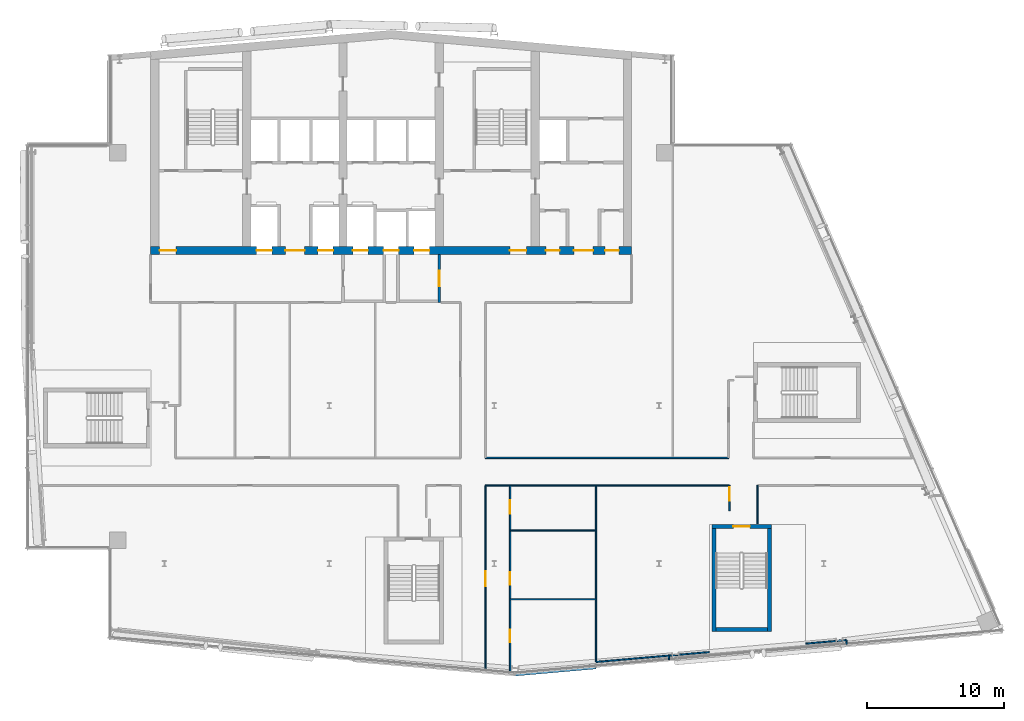
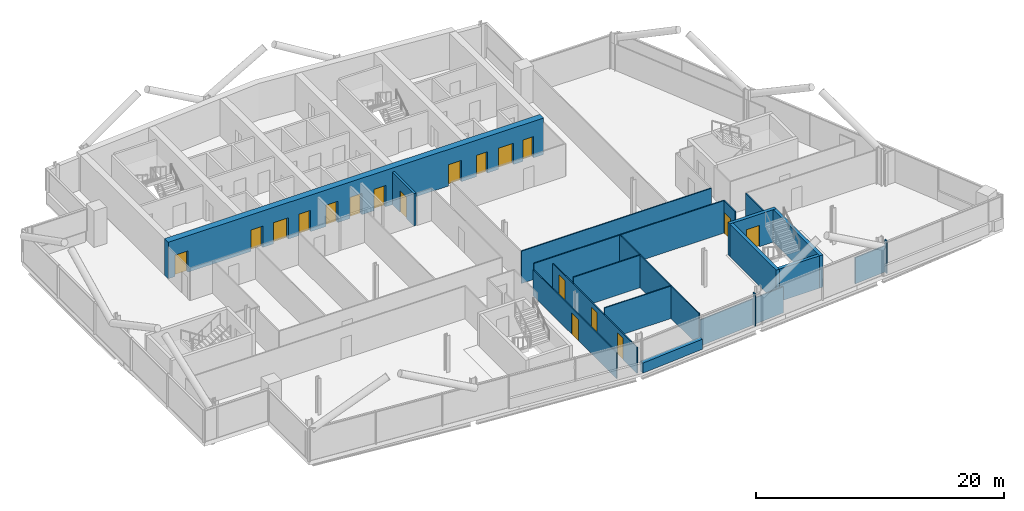
# One storey, part 16 of 27: 21 walls, 18 doors, 18 openings.
"""IFC4 building model written with IfcOpenShell, lengths in metres."""

from ifc_helpers import new_model, si_unit, direction, frame, frame_2d, origin, place, context, subcontext, project, spatial, rectangle, extrude, material, layer, layer_set, type_object, element, fill, save


model = new_model("IFC4")

# Units and contexts
model_context = context("Model", 3, precision=1e-05, world=origin(), true_north=direction((0.0, 1.0)))
body_context = subcontext(model_context, "Body", "Model", "MODEL_VIEW")
ifc_project = project(units=[si_unit("LENGTHUNIT", "METRE"), si_unit("AREAUNIT", "SQUARE_METRE"), si_unit("VOLUMEUNIT", "CUBIC_METRE"), si_unit("PLANEANGLEUNIT", "RADIAN"), si_unit("MASSUNIT", "GRAM", prefix="KILO")], contexts=[model_context])

# Site, building, storey
site_placement = place(None, origin())
site = spatial("IfcSite", under=ifc_project, at=site_placement, CompositionType="ELEMENT")
building_placement = place(site_placement, origin())
building = spatial("IfcBuilding", under=site, at=building_placement, Name="Wharfspan Tower", CompositionType="ELEMENT")
storey_placement = place(building_placement, frame((0.0, 0.0, 210.699951)))
storey = spatial("IfcBuildingStorey", under=building, at=storey_placement, Name="L52", CompositionType="ELEMENT", Elevation=210.699951)

# Wall
ifc_material_1 = material(Name="Gypsum board on steel studs", Category="steel")
ifc_layer_1 = layer(ifc_material_1, 0.100098)
ifc_layer_set_1 = layer_set([ifc_layer_1], Name="Gypsum board on steel studs")
wall_type_1 = type_object("IfcWallType", Name="Compartment wall 100 EI 60", PredefinedType="PARTITIONING", material=ifc_layer_set_1)
wall_1_placement = place(storey_placement, frame((47.360107, 19.199951, 0.0), z_axis=(0.0, 0.0, 1.0), x_axis=(1.0, 0.0, 0.0)))
element("IfcWall", 1, at=wall_1_placement, inside=storey, type_object=wall_type_1, Name="Partition L52.w023", PredefinedType="PARTITIONING", context=body_context, shape_type="SweptSolid", body=[
    extrude(rectangle(XDim=17.709961, YDim=0.100098, at=frame_2d((8.85498, 0.0))), origin(), (0.0, 0.0, 1.0), 3.199951),
])

# Wall, opening, door
wall_2_placement = place(storey_placement, frame((47.370117, 3.700684, 0.0), z_axis=(0.0, 0.0, 1.0), x_axis=(0.0, 1.0, 0.0)))
wall_2 = element("IfcWall", 2, at=wall_2_placement, inside=storey, type_object=wall_type_1, Name="Partition L52.w025", PredefinedType="PARTITIONING", context=body_context, shape_type="SweptSolid", body=[
    extrude(rectangle(XDim=13.484375, YDim=0.100098, at=frame_2d((6.742188, 0.0))), origin(), (0.0, 0.0, 1.0), 2.580078),
])
opening_1_placement = place(wall_2_placement, frame((6.159424, 0.0, 0.0)))
opening_1 = element("IfcOpeningElement", 3, at=opening_1_placement, cuts=wall_2, Name="Opening D2-02", PredefinedType="OPENING", context=body_context, shape_type="SweptSolid", body=[
    extrude(rectangle(XDim=1.100098, YDim=2.100098, at=frame_2d((0.550049, 1.050049))), frame((0.0, 0.060059, 0.0), z_axis=(0.0, -1.0, 0.0), x_axis=(1.0, 0.0, 0.0)), (0.0, 0.0, 1.0), 0.120117),
])
ifc_material_2 = material(Name="Fire-rated timber door leaf in steel frame", Category="steel")
door_type_1 = type_object("IfcDoorType", Name="Door 1100 FD30S Left", OperationType="SINGLE_SWING_LEFT", PredefinedType="DOOR", material=ifc_material_2)
door_1_placement = place(opening_1_placement, origin())
door_1 = element("IfcDoor", 4, at=door_1_placement, inside=storey, type_object=door_type_1, Name="Door D2-02", OperationType="SINGLE_SWING_LEFT", OverallHeight=2.100098, OverallWidth=1.100098, PredefinedType="DOOR", context=body_context, shape_type="SweptSolid", body=[
    extrude(rectangle(XDim=1.100098, YDim=2.100098, at=frame_2d((0.550049, 1.050049))), frame((0.0, 0.024902, 0.0), z_axis=(0.0, -1.0, 0.0), x_axis=(1.0, 0.0, 0.0)), (0.0, 0.0, 1.0), 0.050049),
])
fill(opening_1, door_1)

# Wall
wall_3_placement = place(storey_placement, frame((47.370117, 17.185059, 0.0), z_axis=(0.0, 0.0, 1.0), x_axis=(1.0, 0.0, 0.0)))
element("IfcWall", 5, at=wall_3_placement, inside=storey, type_object=wall_type_1, Name="Partition L52.w026", PredefinedType="PARTITIONING", context=body_context, shape_type="SweptSolid", body=[
    extrude(rectangle(XDim=17.75, YDim=0.100098, at=frame_2d((8.875, 0.0))), origin(), (0.0, 0.0, 1.0), 3.199951),
])

# Wall, openings, doors
wall_4_placement = place(storey_placement, frame((49.159912, 3.543945, 0.0), z_axis=(0.0, 0.0, 1.0), x_axis=(0.0, 1.0, 0.0)))
wall_4 = element("IfcWall", 6, at=wall_4_placement, inside=storey, type_object=wall_type_1, Name="Partition L52.w027", PredefinedType="PARTITIONING", context=body_context, shape_type="SweptSolid", body=[
    extrude(rectangle(XDim=13.641113, YDim=0.100098, at=frame_2d((6.820557, 0.0))), origin(), (0.0, 0.0, 1.0), 2.580078),
])
opening_2_placement = place(wall_4_placement, frame((2.25, 0.0, 0.0)))
opening_2 = element("IfcOpeningElement", 7, at=opening_2_placement, cuts=wall_4, Name="Opening D2-01", PredefinedType="OPENING", context=body_context, shape_type="SweptSolid", body=[
    extrude(rectangle(XDim=0.899902, YDim=2.100098, at=frame_2d((0.449951, 1.050049))), frame((0.0, 0.060059, 0.0), z_axis=(0.0, -1.0, 0.0), x_axis=(1.0, 0.0, 0.0)), (0.0, 0.0, 1.0), 0.120117),
])
opening_3_placement = place(wall_4_placement, frame((6.429932, 0.0, 0.0)))
opening_3 = element("IfcOpeningElement", 8, at=opening_3_placement, cuts=wall_4, Name="Opening D2-03", PredefinedType="OPENING", context=body_context, shape_type="SweptSolid", body=[
    extrude(rectangle(XDim=0.899902, YDim=2.100098, at=frame_2d((0.449951, 1.050049))), frame((0.0, 0.060059, 0.0), z_axis=(0.0, -1.0, 0.0), x_axis=(1.0, 0.0, 0.0)), (0.0, 0.0, 1.0), 0.120117),
])
opening_4_placement = place(wall_4_placement, frame((11.584961, 0.0, 0.0)))
opening_4 = element("IfcOpeningElement", 9, at=opening_4_placement, cuts=wall_4, Name="Opening D2-04", PredefinedType="OPENING", context=body_context, shape_type="SweptSolid", body=[
    extrude(rectangle(XDim=1.0, YDim=2.100098, at=frame_2d((0.5, 1.050049))), frame((0.0, 0.060059, 0.0), z_axis=(0.0, -1.0, 0.0), x_axis=(1.0, 0.0, 0.0)), (0.0, 0.0, 1.0), 0.120117),
])
ifc_material_3 = material(Name="Timber door leaf in steel frame", Category="steel")
door_type_2 = type_object("IfcDoorType", Name="Door 1000 NOT RATED Right", OperationType="SINGLE_SWING_RIGHT", PredefinedType="DOOR", material=ifc_material_3)
door_2_placement = place(opening_4_placement, origin())
door_2 = element("IfcDoor", 10, at=door_2_placement, inside=storey, type_object=door_type_2, Name="Door D2-04", OperationType="SINGLE_SWING_RIGHT", OverallHeight=2.100098, OverallWidth=1.0, PredefinedType="DOOR", context=body_context, shape_type="SweptSolid", body=[
    extrude(rectangle(XDim=1.0, YDim=2.100098, at=frame_2d((0.5, 1.050049))), frame((0.0, 0.024902, 0.0), z_axis=(0.0, -1.0, 0.0), x_axis=(1.0, 0.0, 0.0)), (0.0, 0.0, 1.0), 0.050049),
])
fill(opening_4, door_2)
door_type_3 = type_object("IfcDoorType", Name="Door 900 NOT RATED Left", OperationType="SINGLE_SWING_LEFT", PredefinedType="DOOR", material=ifc_material_3)
door_3_placement = place(opening_2_placement, origin())
door_3 = element("IfcDoor", 11, at=door_3_placement, inside=storey, type_object=door_type_3, Name="Door D2-01", OperationType="SINGLE_SWING_LEFT", OverallHeight=2.100098, OverallWidth=0.899902, PredefinedType="DOOR", context=body_context, shape_type="SweptSolid", body=[
    extrude(rectangle(XDim=0.899902, YDim=2.100098, at=frame_2d((0.449951, 1.050049))), frame((0.0, 0.024902, 0.0), z_axis=(0.0, -1.0, 0.0), x_axis=(1.0, 0.0, 0.0)), (0.0, 0.0, 1.0), 0.050049),
])
fill(opening_2, door_3)
door_type_4 = type_object("IfcDoorType", Name="Door 900 NOT RATED Right", OperationType="SINGLE_SWING_RIGHT", PredefinedType="DOOR", material=ifc_material_3)
door_4_placement = place(opening_3_placement, origin())
door_4 = element("IfcDoor", 12, at=door_4_placement, inside=storey, type_object=door_type_4, Name="Door D2-03", OperationType="SINGLE_SWING_RIGHT", OverallHeight=2.100098, OverallWidth=0.899902, PredefinedType="DOOR", context=body_context, shape_type="SweptSolid", body=[
    extrude(rectangle(XDim=0.899902, YDim=2.100098, at=frame_2d((0.449951, 1.050049))), frame((0.0, 0.024902, 0.0), z_axis=(0.0, -1.0, 0.0), x_axis=(1.0, 0.0, 0.0)), (0.0, 0.0, 1.0), 0.050049),
])
fill(opening_3, door_4)

# Wall
wall_5_placement = place(storey_placement, frame((55.415039, 4.344971, 0.0), z_axis=(0.0, 0.0, 1.0), x_axis=(0.0, 1.0, 0.0)))
element("IfcWall", 13, at=wall_5_placement, inside=storey, type_object=wall_type_1, Name="Partition L52.w031", PredefinedType="PARTITIONING", context=body_context, shape_type="SweptSolid", body=[
    extrude(rectangle(XDim=12.850098, YDim=0.100098, at=frame_2d((6.425049, 0.0))), origin(), (0.0, 0.0, 1.0), 3.199951),
])

# Wall, opening, door
wall_6_placement = place(storey_placement, frame((65.120117, 15.346191, 0.0), z_axis=(0.0, 0.0, 1.0), x_axis=(0.0, 1.0, 0.0)))
wall_6 = element("IfcWall", 14, at=wall_6_placement, inside=storey, type_object=wall_type_1, Name="Partition L52.w039", PredefinedType="PARTITIONING", context=body_context, shape_type="SweptSolid", body=[
    extrude(rectangle(XDim=1.848877, YDim=0.100098, at=frame_2d((0.924316, 0.0))), origin(), (0.0, 0.0, 1.0), 3.199951),
])
opening_5_placement = place(wall_6_placement, frame((0.72876, 0.0, 0.0)))
opening_5 = element("IfcOpeningElement", 15, at=opening_5_placement, cuts=wall_6, Name="Opening D2-05", PredefinedType="OPENING", context=body_context, shape_type="SweptSolid", body=[
    extrude(rectangle(XDim=1.0, YDim=2.100098, at=frame_2d((0.5, 1.050049))), frame((0.0, 0.060059, 0.0), z_axis=(0.0, -1.0, 0.0), x_axis=(1.0, 0.0, 0.0)), (0.0, 0.0, 1.0), 0.120117),
])
door_type_5 = type_object("IfcDoorType", Name="Door 1000 FD30S Right", OperationType="SINGLE_SWING_RIGHT", PredefinedType="DOOR", material=ifc_material_2)
door_5_placement = place(opening_5_placement, origin())
door_5 = element("IfcDoor", 16, at=door_5_placement, inside=storey, type_object=door_type_5, Name="Door D2-05", OperationType="SINGLE_SWING_RIGHT", OverallHeight=2.100098, OverallWidth=1.0, PredefinedType="DOOR", context=body_context, shape_type="SweptSolid", body=[
    extrude(rectangle(XDim=1.0, YDim=2.100098, at=frame_2d((0.5, 1.050049))), frame((0.0, 0.024902, 0.0), z_axis=(0.0, -1.0, 0.0), x_axis=(1.0, 0.0, 0.0)), (0.0, 0.0, 1.0), 0.050049),
])
fill(opening_5, door_5)

# Wall
wall_7_placement = place(storey_placement, frame((67.169922, 14.39502, 0.0), z_axis=(0.0, 0.0, 1.0), x_axis=(0.0, 1.0, 0.0)))
element("IfcWall", 17, at=wall_7_placement, inside=storey, type_object=wall_type_1, Name="Partition L52.w043", PredefinedType="PARTITIONING", context=body_context, shape_type="SweptSolid", body=[
    extrude(rectangle(XDim=2.800049, YDim=0.100098, at=frame_2d((1.399902, 0.0))), origin(), (0.0, 0.0, 1.0), 3.199951),
])

# Wall, openings, doors
ifc_material_4 = material(Name="Concrete C50/60", Category="concrete")
ifc_layer_2 = layer(ifc_material_4, 0.600098)
ifc_layer_set_2 = layer_set([ifc_layer_2], Name="Concrete C50/60")
wall_type_2 = type_object("IfcWallType", Name="Core wall 600 C50/60", PredefinedType="SHEAR", material=ifc_layer_set_2)
wall_8_placement = place(storey_placement, frame((23.0, 34.300049, 0.0), z_axis=(0.0, 0.0, 1.0), x_axis=(1.0, 0.0, 0.0)))
wall_8 = element("IfcWall", 18, at=wall_8_placement, inside=storey, type_object=wall_type_2, Name="Core front wall L52", PredefinedType="SHEAR", context=body_context, shape_type="SweptSolid", body=[
    extrude(rectangle(XDim=35.0, YDim=0.600098, at=frame_2d((17.5, 0.0))), origin(), (0.0, 0.0, 1.0), 3.600098),
])
opening_6_placement = place(wall_8_placement, frame((0.649902, 0.0, 0.0)))
opening_6 = element("IfcOpeningElement", 19, at=opening_6_placement, cuts=wall_8, Name="Opening SV2.L52", PredefinedType="OPENING", context=body_context, shape_type="SweptSolid", body=[
    extrude(rectangle(XDim=1.199951, YDim=2.100098, at=frame_2d((0.600098, 1.050049))), frame((0.0, 0.310059, 0.0), z_axis=(0.0, -1.0, 0.0), x_axis=(1.0, 0.0, 0.0)), (0.0, 0.0, 1.0), 0.620117),
])
opening_7_placement = place(wall_8_placement, frame((7.716797, 0.0, 0.0)))
opening_7 = element("IfcOpeningElement", 20, at=opening_7_placement, cuts=wall_8, Name="Opening LD.SL1.L52", PredefinedType="OPENING", context=body_context, shape_type="SweptSolid", body=[
    extrude(rectangle(XDim=1.100098, YDim=2.100098, at=frame_2d((0.550049, 1.050049))), frame((0.0, 0.310059, 0.0), z_axis=(0.0, -1.0, 0.0), x_axis=(1.0, 0.0, 0.0)), (0.0, 0.0, 1.0), 0.620117),
])
opening_8_placement = place(wall_8_placement, frame((12.18335, 0.0, 0.0)))
opening_8 = element("IfcOpeningElement", 21, at=opening_8_placement, cuts=wall_8, Name="Opening LD.SL2.L52", PredefinedType="OPENING", context=body_context, shape_type="SweptSolid", body=[
    extrude(rectangle(XDim=1.100098, YDim=2.100098, at=frame_2d((0.550049, 1.050049))), frame((0.0, 0.310059, 0.0), z_axis=(0.0, -1.0, 0.0), x_axis=(1.0, 0.0, 0.0)), (0.0, 0.0, 1.0), 0.620117),
])
opening_9_placement = place(wall_8_placement, frame((9.800049, 0.0, 0.0)))
opening_9 = element("IfcOpeningElement", 22, at=opening_9_placement, cuts=wall_8, Name="Opening HD52.3", PredefinedType="OPENING", context=body_context, shape_type="SweptSolid", body=[
    extrude(rectangle(XDim=1.399902, YDim=2.100098, at=frame_2d((0.699951, 1.050049))), frame((0.0, 0.310059, 0.0), z_axis=(0.0, -1.0, 0.0), x_axis=(1.0, 0.0, 0.0)), (0.0, 0.0, 1.0), 0.620117),
])
opening_10_placement = place(wall_8_placement, frame((14.716797, 0.0, 0.0)))
opening_10 = element("IfcOpeningElement", 23, at=opening_10_placement, cuts=wall_8, Name="Opening LD.FF1.L52", PredefinedType="OPENING", context=body_context, shape_type="SweptSolid", body=[
    extrude(rectangle(XDim=1.100098, YDim=2.100098, at=frame_2d((0.550049, 1.050049))), frame((0.0, 0.310059, 0.0), z_axis=(0.0, -1.0, 0.0), x_axis=(1.0, 0.0, 0.0)), (0.0, 0.0, 1.0), 0.620117),
])
opening_11_placement = place(wall_8_placement, frame((16.949951, 0.0, 0.0)))
opening_11 = element("IfcOpeningElement", 24, at=opening_11_placement, cuts=wall_8, Name="Opening LD.LB7.L52", PredefinedType="OPENING", context=body_context, shape_type="SweptSolid", body=[
    extrude(rectangle(XDim=1.100098, YDim=2.100098, at=frame_2d((0.550049, 1.050049))), frame((0.0, 0.310059, 0.0), z_axis=(0.0, -1.0, 0.0), x_axis=(1.0, 0.0, 0.0)), (0.0, 0.0, 1.0), 0.620117),
])
opening_12_placement = place(wall_8_placement, frame((19.18335, 0.0, 0.0)))
opening_12 = element("IfcOpeningElement", 25, at=opening_12_placement, cuts=wall_8, Name="Opening LD.FF2.L52", PredefinedType="OPENING", context=body_context, shape_type="SweptSolid", body=[
    extrude(rectangle(XDim=1.100098, YDim=2.100098, at=frame_2d((0.550049, 1.050049))), frame((0.0, 0.310059, 0.0), z_axis=(0.0, -1.0, 0.0), x_axis=(1.0, 0.0, 0.0)), (0.0, 0.0, 1.0), 0.620117),
])
opening_13_placement = place(wall_8_placement, frame((26.149902, 0.0, 0.0)))
opening_13 = element("IfcOpeningElement", 26, at=opening_13_placement, cuts=wall_8, Name="Opening SV5.L52", PredefinedType="OPENING", context=body_context, shape_type="SweptSolid", body=[
    extrude(rectangle(XDim=1.199951, YDim=2.100098, at=frame_2d((0.600098, 1.050049))), frame((0.0, 0.310059, 0.0), z_axis=(0.0, -1.0, 0.0), x_axis=(1.0, 0.0, 0.0)), (0.0, 0.0, 1.0), 0.620117),
])
opening_14_placement = place(wall_8_placement, frame((28.766602, 0.0, 0.0)))
opening_14 = element("IfcOpeningElement", 27, at=opening_14_placement, cuts=wall_8, Name="Opening CD52.6F1", PredefinedType="OPENING", context=body_context, shape_type="SweptSolid", body=[
    extrude(rectangle(XDim=1.0, YDim=2.100098, at=frame_2d((0.5, 1.050049))), frame((0.0, 0.310059, 0.0), z_axis=(0.0, -1.0, 0.0), x_axis=(1.0, 0.0, 0.0)), (0.0, 0.0, 1.0), 0.620117),
])
opening_15_placement = place(wall_8_placement, frame((33.083252, 0.0, 0.0)))
opening_15 = element("IfcOpeningElement", 28, at=opening_15_placement, cuts=wall_8, Name="Opening CD52.6F3", PredefinedType="OPENING", context=body_context, shape_type="SweptSolid", body=[
    extrude(rectangle(XDim=1.0, YDim=2.100098, at=frame_2d((0.5, 1.050049))), frame((0.0, 0.310059, 0.0), z_axis=(0.0, -1.0, 0.0), x_axis=(1.0, 0.0, 0.0)), (0.0, 0.0, 1.0), 0.620117),
])
opening_16_placement = place(wall_8_placement, frame((30.800049, 0.0, 0.0)))
opening_16 = element("IfcOpeningElement", 29, at=opening_16_placement, cuts=wall_8, Name="Opening HD52.6", PredefinedType="OPENING", context=body_context, shape_type="SweptSolid", body=[
    extrude(rectangle(XDim=1.399902, YDim=2.100098, at=frame_2d((0.699951, 1.050049))), frame((0.0, 0.310059, 0.0), z_axis=(0.0, -1.0, 0.0), x_axis=(1.0, 0.0, 0.0)), (0.0, 0.0, 1.0), 0.620117),
])
ifc_material_5 = material(Name="Steel door leaf", Category="steel")
door_type_6 = type_object("IfcDoorType", Name="Core room door 1000x2100", OperationType="SINGLE_SWING_LEFT", PredefinedType="DOOR", material=ifc_material_5)
door_6_placement = place(opening_14_placement, origin())
door_6 = element("IfcDoor", 30, at=door_6_placement, inside=storey, type_object=door_type_6, Name="d:L52:6:fd6.1", OperationType="SINGLE_SWING_LEFT", OverallHeight=2.100098, OverallWidth=1.0, PredefinedType="DOOR", context=body_context, shape_type="SweptSolid", body=[
    extrude(rectangle(XDim=1.0, YDim=2.100098, at=frame_2d((0.5, 1.050049))), frame((0.0, 0.024902, 0.0), z_axis=(0.0, -1.0, 0.0), x_axis=(1.0, 0.0, 0.0)), (0.0, 0.0, 1.0), 0.050049),
])
fill(opening_14, door_6)
door_7_placement = place(opening_15_placement, origin())
door_7 = element("IfcDoor", 31, at=door_7_placement, inside=storey, type_object=door_type_6, Name="d:L52:6:fd6.3", OperationType="SINGLE_SWING_LEFT", OverallHeight=2.100098, OverallWidth=1.0, PredefinedType="DOOR", context=body_context, shape_type="SweptSolid", body=[
    extrude(rectangle(XDim=1.0, YDim=2.100098, at=frame_2d((0.5, 1.050049))), frame((0.0, 0.024902, 0.0), z_axis=(0.0, -1.0, 0.0), x_axis=(1.0, 0.0, 0.0)), (0.0, 0.0, 1.0), 0.050049),
])
fill(opening_15, door_7)
door_type_7 = type_object("IfcDoorType", Name="Hall entry door 1400x2100", OperationType="DOUBLE_DOOR_SINGLE_SWING", PredefinedType="DOOR", material=ifc_material_5)
door_8_placement = place(opening_9_placement, origin())
door_8 = element("IfcDoor", 32, at=door_8_placement, inside=storey, type_object=door_type_7, Name="d:L52:3:hd3", OperationType="DOUBLE_DOOR_SINGLE_SWING", OverallHeight=2.100098, OverallWidth=1.399902, PredefinedType="DOOR", context=body_context, shape_type="SweptSolid", body=[
    extrude(rectangle(XDim=1.399902, YDim=2.100098, at=frame_2d((0.699951, 1.050049))), frame((0.0, 0.024902, 0.0), z_axis=(0.0, -1.0, 0.0), x_axis=(1.0, 0.0, 0.0)), (0.0, 0.0, 1.0), 0.050049),
])
fill(opening_9, door_8)
door_9_placement = place(opening_16_placement, origin())
door_9 = element("IfcDoor", 33, at=door_9_placement, inside=storey, type_object=door_type_7, Name="d:L52:6:hd6", OperationType="DOUBLE_DOOR_SINGLE_SWING", OverallHeight=2.100098, OverallWidth=1.399902, PredefinedType="DOOR", context=body_context, shape_type="SweptSolid", body=[
    extrude(rectangle(XDim=1.399902, YDim=2.100098, at=frame_2d((0.699951, 1.050049))), frame((0.0, 0.024902, 0.0), z_axis=(0.0, -1.0, 0.0), x_axis=(1.0, 0.0, 0.0)), (0.0, 0.0, 1.0), 0.050049),
])
fill(opening_16, door_9)
ifc_material_6 = material(Name="Stainless steel", Category="steel")
door_type_8 = type_object("IfcDoorType", Name="Lift landing door 1100x2100", OperationType="DOUBLE_DOOR_SLIDING", PredefinedType="DOOR", material=ifc_material_6)
door_10_placement = place(opening_7_placement, origin())
door_10 = element("IfcDoor", 34, at=door_10_placement, inside=storey, type_object=door_type_8, Name="Landing door SL1 L52", OperationType="DOUBLE_DOOR_SLIDING", OverallHeight=2.100098, OverallWidth=1.100098, PredefinedType="DOOR", context=body_context, shape_type="SweptSolid", body=[
    extrude(rectangle(XDim=1.100098, YDim=2.100098, at=frame_2d((0.550049, 1.050049))), frame((0.0, 0.024902, 0.0), z_axis=(0.0, -1.0, 0.0), x_axis=(1.0, 0.0, 0.0)), (0.0, 0.0, 1.0), 0.050049),
])
fill(opening_7, door_10)
door_11_placement = place(opening_8_placement, origin())
door_11 = element("IfcDoor", 35, at=door_11_placement, inside=storey, type_object=door_type_8, Name="Landing door SL2 L52", OperationType="DOUBLE_DOOR_SLIDING", OverallHeight=2.100098, OverallWidth=1.100098, PredefinedType="DOOR", context=body_context, shape_type="SweptSolid", body=[
    extrude(rectangle(XDim=1.100098, YDim=2.100098, at=frame_2d((0.550049, 1.050049))), frame((0.0, 0.024902, 0.0), z_axis=(0.0, -1.0, 0.0), x_axis=(1.0, 0.0, 0.0)), (0.0, 0.0, 1.0), 0.050049),
])
fill(opening_8, door_11)
door_12_placement = place(opening_10_placement, origin())
door_12 = element("IfcDoor", 36, at=door_12_placement, inside=storey, type_object=door_type_8, Name="Landing door FF1 L52", OperationType="DOUBLE_DOOR_SLIDING", OverallHeight=2.100098, OverallWidth=1.100098, PredefinedType="DOOR", context=body_context, shape_type="SweptSolid", body=[
    extrude(rectangle(XDim=1.100098, YDim=2.100098, at=frame_2d((0.550049, 1.050049))), frame((0.0, 0.024902, 0.0), z_axis=(0.0, -1.0, 0.0), x_axis=(1.0, 0.0, 0.0)), (0.0, 0.0, 1.0), 0.050049),
])
fill(opening_10, door_12)
door_13_placement = place(opening_11_placement, origin())
door_13 = element("IfcDoor", 37, at=door_13_placement, inside=storey, type_object=door_type_8, Name="Landing door LB7 L52", OperationType="DOUBLE_DOOR_SLIDING", OverallHeight=2.100098, OverallWidth=1.100098, PredefinedType="DOOR", context=body_context, shape_type="SweptSolid", body=[
    extrude(rectangle(XDim=1.100098, YDim=2.100098, at=frame_2d((0.550049, 1.050049))), frame((0.0, 0.024902, 0.0), z_axis=(0.0, -1.0, 0.0), x_axis=(1.0, 0.0, 0.0)), (0.0, 0.0, 1.0), 0.050049),
])
fill(opening_11, door_13)
door_14_placement = place(opening_12_placement, origin())
door_14 = element("IfcDoor", 38, at=door_14_placement, inside=storey, type_object=door_type_8, Name="Landing door FF2 L52", OperationType="DOUBLE_DOOR_SLIDING", OverallHeight=2.100098, OverallWidth=1.100098, PredefinedType="DOOR", context=body_context, shape_type="SweptSolid", body=[
    extrude(rectangle(XDim=1.100098, YDim=2.100098, at=frame_2d((0.550049, 1.050049))), frame((0.0, 0.024902, 0.0), z_axis=(0.0, -1.0, 0.0), x_axis=(1.0, 0.0, 0.0)), (0.0, 0.0, 1.0), 0.050049),
])
fill(opening_12, door_14)
door_type_9 = type_object("IfcDoorType", Name="Stair door 1200x2100", OperationType="SINGLE_SWING_LEFT", PredefinedType="DOOR", material=ifc_material_5)
door_15_placement = place(opening_6_placement, origin())
door_15 = element("IfcDoor", 39, at=door_15_placement, inside=storey, type_object=door_type_9, Name="vd:L52:2", OperationType="SINGLE_SWING_LEFT", OverallHeight=2.100098, OverallWidth=1.199951, PredefinedType="DOOR", context=body_context, shape_type="SweptSolid", body=[
    extrude(rectangle(XDim=1.199951, YDim=2.100098, at=frame_2d((0.600098, 1.050049))), frame((0.0, 0.024902, 0.0), z_axis=(0.0, -1.0, 0.0), x_axis=(1.0, 0.0, 0.0)), (0.0, 0.0, 1.0), 0.050049),
])
fill(opening_6, door_15)
door_16_placement = place(opening_13_placement, origin())
door_16 = element("IfcDoor", 40, at=door_16_placement, inside=storey, type_object=door_type_9, Name="vd:L52:5", OperationType="SINGLE_SWING_LEFT", OverallHeight=2.100098, OverallWidth=1.199951, PredefinedType="DOOR", context=body_context, shape_type="SweptSolid", body=[
    extrude(rectangle(XDim=1.199951, YDim=2.100098, at=frame_2d((0.600098, 1.050049))), frame((0.0, 0.024902, 0.0), z_axis=(0.0, -1.0, 0.0), x_axis=(1.0, 0.0, 0.0)), (0.0, 0.0, 1.0), 0.050049),
])
fill(opening_13, door_16)

# Wall, opening, door
ifc_material_7 = material(Name="Concrete C30/37", Category="concrete")
ifc_layer_3 = layer(ifc_material_7, 0.199951)
ifc_layer_set_3 = layer_set([ifc_layer_3], Name="Concrete C30/37")
wall_type_3 = type_object("IfcWallType", Name="Lobby wall 200", PredefinedType="PARTITIONING", material=ifc_layer_set_3)
wall_9_placement = place(storey_placement, frame((44.0, 30.5, 0.0), z_axis=(0.0, 0.0, 1.0), x_axis=(0.0, 1.0, 0.0)))
wall_9 = element("IfcWall", 41, at=wall_9_placement, inside=storey, type_object=wall_type_3, Name="sw:L52:FLFF2E", PredefinedType="PARTITIONING", context=body_context, shape_type="SweptSolid", body=[
    extrude(rectangle(XDim=3.5, YDim=0.199951, at=frame_2d((1.75, 0.0))), origin(), (0.0, 0.0, 1.0), 3.199951),
])
opening_17_placement = place(wall_9_placement, frame((1.199951, 0.0, 0.0)))
opening_17 = element("IfcOpeningElement", 42, at=opening_17_placement, cuts=wall_9, Name="Opening FL.FF2.L52", PredefinedType="OPENING", context=body_context, shape_type="SweptSolid", body=[
    extrude(rectangle(XDim=1.100098, YDim=2.100098, at=frame_2d((0.550049, 1.050049))), frame((0.0, 0.109863, 0.0), z_axis=(0.0, -1.0, 0.0), x_axis=(1.0, 0.0, 0.0)), (0.0, 0.0, 1.0), 0.219971),
])
door_type_10 = type_object("IfcDoorType", Name="Firefighting lobby door 1100x2100", OperationType="SINGLE_SWING_LEFT", PredefinedType="DOOR", material=ifc_material_5)
door_17_placement = place(opening_17_placement, origin())
door_17 = element("IfcDoor", 43, at=door_17_placement, inside=storey, type_object=door_type_10, Name="fd:L52:FF2", OperationType="SINGLE_SWING_LEFT", OverallHeight=2.100098, OverallWidth=1.100098, PredefinedType="DOOR", context=body_context, shape_type="SweptSolid", body=[
    extrude(rectangle(XDim=1.100098, YDim=2.100098, at=frame_2d((0.550049, 1.050049))), frame((0.0, 0.024902, 0.0), z_axis=(0.0, -1.0, 0.0), x_axis=(1.0, 0.0, 0.0)), (0.0, 0.0, 1.0), 0.050049),
])
fill(opening_17, door_17)

# Walls
ifc_layer_4 = layer(ifc_material_1, 0.100098)
ifc_layer_set_4 = layer_set([ifc_layer_4], Name="Gypsum board on steel studs")
wall_type_4 = type_object("IfcWallType", Name="Partition 100", PredefinedType="PARTITIONING", material=ifc_layer_set_4)
for number, where, z_axis, x_axis, name in (
    (44, (49.159912, 8.905029, 0.0), (0.0, 0.0, 1.0), (1.0, 0.0, 0.0), "Partition L52.w028"),
    (45, (49.159912, 13.909912, 0.0), (0.0, 0.0, 1.0), (1.0, 0.0, 0.0), "Partition L52.w029"),
):
    element("IfcWall", number, at=place(storey_placement, frame(where, z_axis=z_axis, x_axis=x_axis)), inside=storey, type_object=wall_type_4, Name=name, PredefinedType="PARTITIONING", context=body_context, shape_type="SweptSolid", body=[
        extrude(rectangle(XDim=6.255127, YDim=0.100098, at=frame_2d((3.127441, 0.0))), origin(), (0.0, 0.0, 1.0), 3.199951),
    ])
wall_10_placement = place(storey_placement, frame((55.415039, 4.340088, 0.0), z_axis=(0.0, 0.0, 1.0), x_axis=(0.996159, 0.087534, 0.0)))
element("IfcWall", 46, at=wall_10_placement, inside=storey, type_object=wall_type_4, Name="Partition L52.w030", PredefinedType="PARTITIONING", context=body_context, shape_type="SweptSolid", body=[
    extrude(rectangle(XDim=5.310303, YDim=0.100098, at=frame_2d((2.655273, 0.0))), origin(), (0.0, 0.0, 1.0), 2.580078),
])
wall_11_placement = place(storey_placement, frame((60.705078, 4.804932, 0.0), z_axis=(0.0, 0.0, 1.0), x_axis=(0.996324, 0.085692, 0.0)))
element("IfcWall", 47, at=wall_11_placement, inside=storey, type_object=wall_type_4, Name="Partition L52.w034", PredefinedType="PARTITIONING", context=body_context, shape_type="SweptSolid", body=[
    extrude(rectangle(XDim=2.95459, YDim=0.100098, at=frame_2d((1.477295, 0.0))), origin(), (0.0, 0.0, 1.0), 2.580078),
])
wall_12_placement = place(storey_placement, frame((60.73291, 4.49707, 0.0), z_axis=(0.0, 0.0, 1.0), x_axis=(-0.090037, 0.995936, 0.0)))
element("IfcWall", 48, at=wall_12_placement, inside=storey, type_object=wall_type_4, Name="Partition L52.w035", PredefinedType="PARTITIONING", context=body_context, shape_type="SweptSolid", body=[
    extrude(rectangle(XDim=0.309082, YDim=0.100098, at=frame_2d((0.154541, 0.0))), origin(), (0.0, 0.0, 1.0), 3.199951),
])
wall_13_placement = place(storey_placement, frame((70.688721, 5.676514, 0.0), z_axis=(0.0, 0.0, 1.0), x_axis=(0.996174, 0.087417, 0.0)))
element("IfcWall", 49, at=wall_13_placement, inside=storey, type_object=wall_type_4, Name="Partition L52.w045", PredefinedType="PARTITIONING", context=body_context, shape_type="SweptSolid", body=[
    extrude(rectangle(XDim=2.95752, YDim=0.100098, at=frame_2d((1.47876, 0.0))), origin(), (0.0, 0.0, 1.0), 2.580078),
])
wall_14_placement = place(storey_placement, frame((73.66333, 5.628174, 0.0), z_axis=(0.0, 0.0, 1.0), x_axis=(-0.091893, 0.995772, 0.0)))
element("IfcWall", 50, at=wall_14_placement, inside=storey, type_object=wall_type_4, Name="Partition L52.w046", PredefinedType="PARTITIONING", context=body_context, shape_type="SweptSolid", body=[
    extrude(rectangle(XDim=0.308105, YDim=0.100098, at=frame_2d((0.154053, 0.0))), origin(), (0.0, 0.0, 1.0), 3.199951),
])
ifc_material_8 = material(Name="Concrete C40/50", Category="concrete")
ifc_layer_5 = layer(ifc_material_8, 0.350098)
ifc_layer_set_5 = layer_set([ifc_layer_5], Name="Concrete C40/50")
wall_type_5 = type_object("IfcWallType", Name="SPANDREL EXPOSED CONCRETE 350", PredefinedType="SOLIDWALL", material=ifc_layer_set_5)
wall_15_placement = place(storey_placement, frame((49.54541, 3.493164, 0.0), z_axis=(0.0, 0.0, 1.0), x_axis=(0.996196, 0.087138, 0.0)))
element("IfcWall", 51, at=wall_15_placement, inside=storey, type_object=wall_type_5, Name="Spandrel upstand L52 S2 1", PredefinedType="SOLIDWALL", context=body_context, shape_type="SweptSolid", body=[
    extrude(rectangle(XDim=5.864014, YDim=0.350098, at=frame_2d((2.932129, 0.0))), origin(), (0.0, 0.0, 1.0), 1.0),
])

# Wall, opening, door
ifc_layer_6 = layer(ifc_material_8, 0.300049)
ifc_layer_set_6 = layer_set([ifc_layer_6], Name="Concrete C40/50")
wall_type_6 = type_object("IfcWallType", Name="Stair core wall 300", PredefinedType="SHEAR", material=ifc_layer_set_6)
wall_16_placement = place(storey_placement, frame((63.84375, 14.196289, 0.0), z_axis=(0.0, 0.0, 1.0), x_axis=(1.0, 0.0, 0.0)))
wall_16 = element("IfcWall", 52, at=wall_16_placement, inside=storey, type_object=wall_type_6, Name="ST5 stair enclosure wall L52", PredefinedType="SHEAR", context=body_context, shape_type="SweptSolid", body=[
    extrude(rectangle(XDim=4.350098, YDim=0.300049, at=frame_2d((2.175049, 0.0))), origin(), (0.0, 0.0, 1.0), 3.199951),
])
opening_18_placement = place(wall_16_placement, frame((1.574951, 0.0, 0.0)))
opening_18 = element("IfcOpeningElement", 53, at=opening_18_placement, cuts=wall_16, Name="Opening SD5.L52", PredefinedType="OPENING", context=body_context, shape_type="SweptSolid", body=[
    extrude(rectangle(XDim=1.199951, YDim=2.100098, at=frame_2d((0.600098, 1.050049))), frame((0.0, 0.159912, 0.0), z_axis=(0.0, -1.0, 0.0), x_axis=(1.0, 0.0, 0.0)), (0.0, 0.0, 1.0), 0.320068),
])
door_18_placement = place(opening_18_placement, origin())
door_18 = element("IfcDoor", 54, at=door_18_placement, inside=storey, type_object=door_type_9, Name="sd:L52:ST5z4", OperationType="SINGLE_SWING_RIGHT", OverallHeight=2.100098, OverallWidth=1.199951, PredefinedType="DOOR", context=body_context, shape_type="SweptSolid", body=[
    extrude(rectangle(XDim=1.199951, YDim=2.100098, at=frame_2d((0.600098, 1.050049))), frame((0.0, 0.024902, 0.0), z_axis=(0.0, -1.0, 0.0), x_axis=(1.0, 0.0, 0.0)), (0.0, 0.0, 1.0), 0.050049),
])
fill(opening_18, door_18)

# Walls
for number, where, z_axis, x_axis, name in (
    (55, (63.993896, 6.546143, 0.0), (0.0, 0.0, 1.0), (0.0, 1.0, 0.0), "ST5 stair enclosure wall L52"),
    (56, (68.043701, 6.546143, 0.0), (0.0, 0.0, 1.0), (0.0, 1.0, 0.0), "ST5 stair enclosure wall L52"),
):
    element("IfcWall", number, at=place(storey_placement, frame(where, z_axis=z_axis, x_axis=x_axis)), inside=storey, type_object=wall_type_6, Name=name, PredefinedType="SHEAR", context=body_context, shape_type="SweptSolid", body=[
        extrude(rectangle(XDim=7.5, YDim=0.300049, at=frame_2d((3.75, 0.0))), origin(), (0.0, 0.0, 1.0), 3.199951),
    ])
wall_17_placement = place(storey_placement, frame((64.143799, 6.696289, 0.0), z_axis=(0.0, 0.0, 1.0), x_axis=(1.0, 0.0, 0.0)))
element("IfcWall", 57, at=wall_17_placement, inside=storey, type_object=wall_type_6, Name="ST5 stair enclosure wall L52", PredefinedType="SHEAR", context=body_context, shape_type="SweptSolid", body=[
    extrude(rectangle(XDim=3.75, YDim=0.300049, at=frame_2d((1.875, 0.0))), origin(), (0.0, 0.0, 1.0), 3.199951),
])

save(model, "model.ifc")
